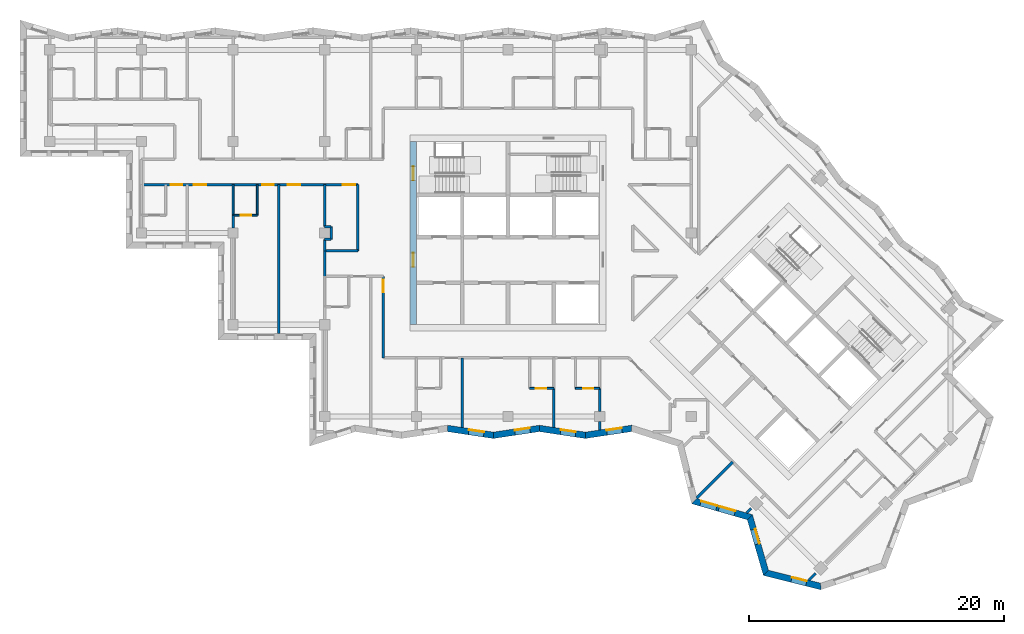
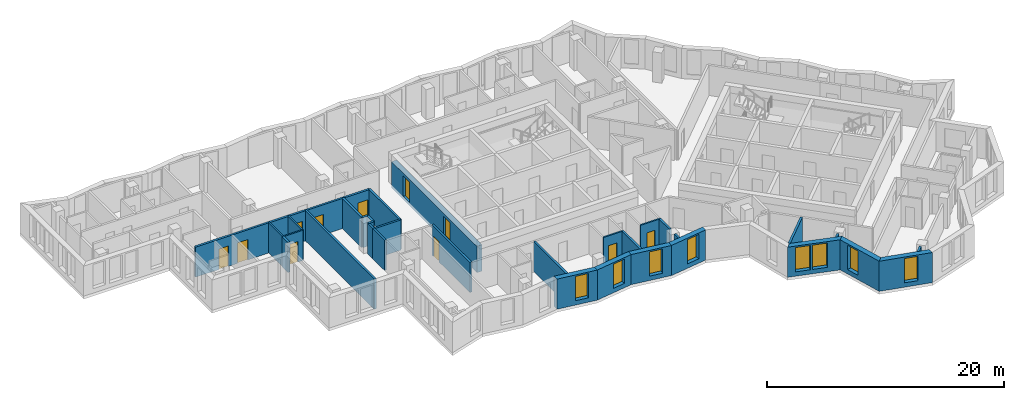
# One storey, part 3 of 13: 32 walls, 11 doors, 8 windows, 19 openings.
"""IFC4 building model written with IfcOpenShell, lengths in metres."""

from ifc_helpers import new_model, si_unit, direction, frame, frame_2d, origin, place, context, subcontext, project, spatial, polyline, rectangle, outline, extrude, material, layer, layer_set, type_object, element, fill, save


model = new_model("IFC4")

# Units and contexts
model_context = context("Model", 3, precision=1e-05, world=origin(), true_north=direction((0.0, 1.0)))
body_context = subcontext(model_context, "Body", "Model", "MODEL_VIEW")
ifc_project = project(units=[si_unit("LENGTHUNIT", "METRE"), si_unit("AREAUNIT", "SQUARE_METRE"), si_unit("VOLUMEUNIT", "CUBIC_METRE"), si_unit("PLANEANGLEUNIT", "RADIAN"), si_unit("MASSUNIT", "GRAM", prefix="KILO")], contexts=[model_context])

# Site, building, storey
site_placement = place(None, origin())
site = spatial("IfcSite", under=ifc_project, at=site_placement, CompositionType="ELEMENT")
building_placement = place(site_placement, origin())
building = spatial("IfcBuilding", under=site, at=building_placement, Name="Windrow Commons", CompositionType="ELEMENT")
storey_placement = place(building_placement, frame((0.0, 0.0, 216.8)))
storey = spatial("IfcBuildingStorey", under=building, at=storey_placement, Name="L59", CompositionType="ELEMENT", Elevation=216.8)

# Wall, opening, window
ifc_material_1 = material(Name="Brick masonry, red clay brick", Category="masonry")
ifc_layer_1 = layer(ifc_material_1, 0.5)
ifc_layer_set_1 = layer_set([ifc_layer_1], Name="Brick facade wall 500")
wall_type_1 = type_object("IfcWallType", Name="Brick facade wall 500", PredefinedType="SOLIDWALL", material=ifc_layer_set_1)
wall_1_placement = place(storey_placement, frame((60.0367, 42.2528, 0.0), z_axis=(0.0, 0.0, 1.0), x_axis=(0.9889295242, -0.1483859704, 0.0)))
wall_1 = element("IfcWall", 1, at=wall_1_placement, inside=storey, type_object=wall_type_1, Name="Brick facade wall L59 41", PredefinedType="SOLIDWALL", context=body_context, shape_type="SweptSolid", body=[
    extrude(outline(polyline([(0.0375, -0.25), (3.6902, -0.25), (3.6152, 0.25), (-0.0375, 0.25), (0.0375, -0.25)])), origin(), (0.0, 0.0, 1.0), 3.1),
])
opening_1_placement = place(wall_1_placement, frame((1.6957, 0.0, 0.45)))
opening_1 = element("IfcOpeningElement", 2, at=opening_1_placement, cuts=wall_1, Name="Opening W7E", PredefinedType="OPENING", context=body_context, shape_type="SweptSolid", body=[
    extrude(rectangle(XDim=1.2, YDim=2.5, at=frame_2d((0.6, 1.25))), frame((0.0, 0.26, 0.0), z_axis=(0.0, -1.0, 0.0), x_axis=(1.0, 0.0, 0.0)), (0.0, 0.0, 1.0), 0.52),
])
ifc_material_2 = material(Name="Clear float glass in anodised aluminium frame", Category="aluminium")
window_type_1 = type_object("IfcWindowType", Name="Window W7 notch 1200x2500", PartitioningType="SINGLE_PANEL", PredefinedType="WINDOW", material=ifc_material_2)
window_1_placement = place(opening_1_placement, origin())
window_1 = element("IfcWindow", 3, at=window_1_placement, inside=storey, type_object=window_type_1, Name="Window L59 41.1", OverallHeight=2.5, OverallWidth=1.2, PartitioningType="SINGLE_PANEL", PredefinedType="WINDOW", context=body_context, shape_type="SweptSolid", body=[
    extrude(rectangle(XDim=1.2, YDim=2.5, at=frame_2d((0.6, 1.25))), frame((0.0, 0.18, 0.0), z_axis=(0.0, -1.0, 0.0), x_axis=(1.0, 0.0, 0.0)), (0.0, 0.0, 1.0), 0.06),
])
fill(opening_1, window_1)

wall_2_placement = place(storey_placement, frame((63.6489, 41.7108, 0.0), z_axis=(0.0, 0.0, 1.0), x_axis=(0.988930127, 0.148381953, 0.0)))
wall_2 = element("IfcWall", 4, at=wall_2_placement, inside=storey, type_object=wall_type_1, Name="Brick facade wall L59 42", PredefinedType="SOLIDWALL", context=body_context, shape_type="SweptSolid", body=[
    extrude(outline(polyline([(-0.0375, -0.25), (3.6152, -0.25), (3.6902, 0.25), (0.0375, 0.25), (-0.0375, -0.25)])), origin(), (0.0, 0.0, 1.0), 3.1),
])
opening_2_placement = place(wall_2_placement, frame((1.7083, 0.0, 0.45)))
opening_2 = element("IfcOpeningElement", 5, at=opening_2_placement, cuts=wall_2, Name="Opening W7E", PredefinedType="OPENING", context=body_context, shape_type="SweptSolid", body=[
    extrude(rectangle(XDim=1.2, YDim=2.5, at=frame_2d((0.6, 1.25))), frame((0.0, 0.26, 0.0), z_axis=(0.0, -1.0, 0.0), x_axis=(1.0, 0.0, 0.0)), (0.0, 0.0, 1.0), 0.52),
])
window_2_placement = place(opening_2_placement, origin())
window_2 = element("IfcWindow", 6, at=window_2_placement, inside=storey, type_object=window_type_1, Name="Window L59 42.1", OverallHeight=2.5, OverallWidth=1.2, PartitioningType="SINGLE_PANEL", PredefinedType="WINDOW", context=body_context, shape_type="SweptSolid", body=[
    extrude(rectangle(XDim=1.2, YDim=2.5, at=frame_2d((0.6, 1.25))), frame((0.0, 0.18, 0.0), z_axis=(0.0, -1.0, 0.0), x_axis=(1.0, 0.0, 0.0)), (0.0, 0.0, 1.0), 0.06),
])
fill(opening_2, window_2)

wall_3_placement = place(storey_placement, frame((67.2612, 42.2528, 0.0), z_axis=(0.0, 0.0, 1.0), x_axis=(0.9889295242, -0.1483859704, 0.0)))
wall_3 = element("IfcWall", 7, at=wall_3_placement, inside=storey, type_object=wall_type_1, Name="Brick facade wall L59 43", PredefinedType="SOLIDWALL", context=body_context, shape_type="SweptSolid", body=[
    extrude(outline(polyline([(0.0375, -0.25), (3.6902, -0.25), (3.6152, 0.25), (-0.0375, 0.25), (0.0375, -0.25)])), origin(), (0.0, 0.0, 1.0), 3.1),
])
opening_3_placement = place(wall_3_placement, frame((1.6834, 0.0, 0.45)))
opening_3 = element("IfcOpeningElement", 8, at=opening_3_placement, cuts=wall_3, Name="Opening W7E", PredefinedType="OPENING", context=body_context, shape_type="SweptSolid", body=[
    extrude(rectangle(XDim=1.2, YDim=2.5, at=frame_2d((0.6, 1.25))), frame((0.0, 0.26, 0.0), z_axis=(0.0, -1.0, 0.0), x_axis=(1.0, 0.0, 0.0)), (0.0, 0.0, 1.0), 0.52),
])
window_3_placement = place(opening_3_placement, origin())
window_3 = element("IfcWindow", 9, at=window_3_placement, inside=storey, type_object=window_type_1, Name="Window L59 43.1", OverallHeight=2.5, OverallWidth=1.2, PartitioningType="SINGLE_PANEL", PredefinedType="WINDOW", context=body_context, shape_type="SweptSolid", body=[
    extrude(rectangle(XDim=1.2, YDim=2.5, at=frame_2d((0.6, 1.25))), frame((0.0, 0.18, 0.0), z_axis=(0.0, -1.0, 0.0), x_axis=(1.0, 0.0, 0.0)), (0.0, 0.0, 1.0), 0.06),
])
fill(opening_3, window_3)

wall_4_placement = place(storey_placement, frame((70.8734, 41.7108, 0.0), z_axis=(0.0, 0.0, 1.0), x_axis=(0.9889307607, 0.1483777295, 0.0)))
wall_4 = element("IfcWall", 10, at=wall_4_placement, inside=storey, type_object=wall_type_1, Name="Brick facade wall L59 44", PredefinedType="SOLIDWALL", context=body_context, shape_type="SweptSolid", body=[
    extrude(outline(polyline([(-0.0375, -0.25), (3.6152, -0.25), (3.731, 0.25), (0.0375, 0.25), (-0.0375, -0.25)])), origin(), (0.0, 0.0, 1.0), 3.1),
])
opening_4_placement = place(wall_4_placement, frame((1.7061, 0.0, 0.45)))
opening_4 = element("IfcOpeningElement", 11, at=opening_4_placement, cuts=wall_4, Name="Opening W7E", PredefinedType="OPENING", context=body_context, shape_type="SweptSolid", body=[
    extrude(rectangle(XDim=1.2, YDim=2.5, at=frame_2d((0.6, 1.25))), frame((0.0, 0.26, 0.0), z_axis=(0.0, -1.0, 0.0), x_axis=(1.0, 0.0, 0.0)), (0.0, 0.0, 1.0), 0.52),
])
window_4_placement = place(opening_4_placement, origin())
window_4 = element("IfcWindow", 12, at=window_4_placement, inside=storey, type_object=window_type_1, Name="Window L59 44.1", OverallHeight=2.5, OverallWidth=1.2, PartitioningType="SINGLE_PANEL", PredefinedType="WINDOW", context=body_context, shape_type="SweptSolid", body=[
    extrude(rectangle(XDim=1.2, YDim=2.5, at=frame_2d((0.6, 1.25))), frame((0.0, 0.18, 0.0), z_axis=(0.0, -1.0, 0.0), x_axis=(1.0, 0.0, 0.0)), (0.0, 0.0, 1.0), 0.06),
])
fill(opening_4, window_4)

# Wall, openings, windows
wall_5_placement = place(storey_placement, frame((79.4298, 36.54, 0.0), z_axis=(0.0, 0.0, 1.0), x_axis=(0.9606541241, -0.2777474642, 0.0)))
wall_5 = element("IfcWall", 13, at=wall_5_placement, inside=storey, type_object=wall_type_1, Name="Brick facade wall L59 47", PredefinedType="SOLIDWALL", context=body_context, shape_type="SweptSolid", body=[
    extrude(outline(polyline([(-0.1441, -0.25), (4.412, -0.25), (4.6877, 0.25), (0.1441, 0.25), (-0.1441, -0.25)])), origin(), (0.0, 0.0, 1.0), 3.1),
])
opening_5_placement = place(wall_5_placement, frame((0.5262, 0.0, 0.45)))
opening_5 = element("IfcOpeningElement", 14, at=opening_5_placement, cuts=wall_5, Name="Opening W1Q", PredefinedType="OPENING", context=body_context, shape_type="SweptSolid", body=[
    extrude(rectangle(XDim=1.3, YDim=2.5, at=frame_2d((0.65, 1.25))), frame((0.0, 0.26, 0.0), z_axis=(0.0, -1.0, 0.0), x_axis=(1.0, 0.0, 0.0)), (0.0, 0.0, 1.0), 0.52),
])
opening_6_placement = place(wall_5_placement, frame((2.0262, 0.0, 0.45)))
opening_6 = element("IfcOpeningElement", 15, at=opening_6_placement, cuts=wall_5, Name="Opening W1Q", PredefinedType="OPENING", context=body_context, shape_type="SweptSolid", body=[
    extrude(rectangle(XDim=1.3, YDim=2.5, at=frame_2d((0.65, 1.25))), frame((0.0, 0.26, 0.0), z_axis=(0.0, -1.0, 0.0), x_axis=(1.0, 0.0, 0.0)), (0.0, 0.0, 1.0), 0.52),
])
ifc_material_3 = material(Name="Clear float glass in anodised aluminium frame", Category="aluminium")
window_type_2 = type_object("IfcWindowType", Name="Window W1Q pair 1300x2500", PartitioningType="SINGLE_PANEL", PredefinedType="WINDOW", material=ifc_material_3)
window_5_placement = place(opening_5_placement, origin())
window_5 = element("IfcWindow", 16, at=window_5_placement, inside=storey, type_object=window_type_2, Name="Window L59 47.1A", OverallHeight=2.5, OverallWidth=1.3, PartitioningType="SINGLE_PANEL", PredefinedType="WINDOW", context=body_context, shape_type="SweptSolid", body=[
    extrude(rectangle(XDim=1.3, YDim=2.5, at=frame_2d((0.65, 1.25))), frame((0.0, 0.18, 0.0), z_axis=(0.0, -1.0, 0.0), x_axis=(1.0, 0.0, 0.0)), (0.0, 0.0, 1.0), 0.06),
])
fill(opening_5, window_5)
window_6_placement = place(opening_6_placement, origin())
window_6 = element("IfcWindow", 17, at=window_6_placement, inside=storey, type_object=window_type_2, Name="Window L59 47.1B", OverallHeight=2.5, OverallWidth=1.3, PartitioningType="SINGLE_PANEL", PredefinedType="WINDOW", context=body_context, shape_type="SweptSolid", body=[
    extrude(rectangle(XDim=1.3, YDim=2.5, at=frame_2d((0.65, 1.25))), frame((0.0, 0.18, 0.0), z_axis=(0.0, -1.0, 0.0), x_axis=(1.0, 0.0, 0.0)), (0.0, 0.0, 1.0), 0.06),
])
fill(opening_6, window_6)

# Wall, opening, window
wall_6_placement = place(storey_placement, frame((83.8006, 35.2763, 0.0), z_axis=(0.0, 0.0, 1.0), x_axis=(0.2777474642, -0.9606541241, 0.0)))
wall_6 = element("IfcWall", 18, at=wall_6_placement, inside=storey, type_object=wall_type_1, Name="Brick facade wall L59 48", PredefinedType="SOLIDWALL", context=body_context, shape_type="SweptSolid", body=[
    extrude(outline(polyline([(0.1379, -0.25), (4.6939, -0.25), (4.4058, 0.25), (-0.1379, 0.25), (0.1379, -0.25)])), origin(), (0.0, 0.0, 1.0), 3.1),
])
opening_7_placement = place(wall_6_placement, frame((0.997, 0.0, 0.45)))
opening_7 = element("IfcOpeningElement", 19, at=opening_7_placement, cuts=wall_6, Name="Opening W7E", PredefinedType="OPENING", context=body_context, shape_type="SweptSolid", body=[
    extrude(rectangle(XDim=1.2, YDim=2.5, at=frame_2d((0.6, 1.25))), frame((0.0, 0.26, 0.0), z_axis=(0.0, -1.0, 0.0), x_axis=(1.0, 0.0, 0.0)), (0.0, 0.0, 1.0), 0.52),
])
window_7_placement = place(opening_7_placement, origin())
window_7 = element("IfcWindow", 20, at=window_7_placement, inside=storey, type_object=window_type_1, Name="Window L59 48.1", OverallHeight=2.5, OverallWidth=1.2, PartitioningType="SINGLE_PANEL", PredefinedType="WINDOW", context=body_context, shape_type="SweptSolid", body=[
    extrude(rectangle(XDim=1.2, YDim=2.5, at=frame_2d((0.6, 1.25))), frame((0.0, 0.18, 0.0), z_axis=(0.0, -1.0, 0.0), x_axis=(1.0, 0.0, 0.0)), (0.0, 0.0, 1.0), 0.06),
])
fill(opening_7, window_7)

wall_7_placement = place(storey_placement, frame((85.0643, 30.9055, 0.0), z_axis=(0.0, 0.0, 1.0), x_axis=(0.9704161722, -0.2414383002, 0.0)))
wall_7 = element("IfcWall", 21, at=wall_7_placement, inside=storey, type_object=wall_type_1, Name="Brick facade wall L59 49", PredefinedType="SOLIDWALL", context=body_context, shape_type="SweptSolid", body=[
    extrude(outline(polyline([(-0.1441, -0.25), (4.5118, -0.25), (4.3665, 0.25), (0.1441, 0.25), (-0.1441, -0.25)])), origin(), (0.0, 0.0, 1.0), 3.1),
])
opening_8_placement = place(wall_7_placement, frame((2.0715, 0.0, 0.45)))
opening_8 = element("IfcOpeningElement", 22, at=opening_8_placement, cuts=wall_7, Name="Opening W7E", PredefinedType="OPENING", context=body_context, shape_type="SweptSolid", body=[
    extrude(rectangle(XDim=1.2, YDim=2.5, at=frame_2d((0.6, 1.25))), frame((0.0, 0.26, 0.0), z_axis=(0.0, -1.0, 0.0), x_axis=(1.0, 0.0, 0.0)), (0.0, 0.0, 1.0), 0.52),
])
window_8_placement = place(opening_8_placement, origin())
window_8 = element("IfcWindow", 23, at=window_8_placement, inside=storey, type_object=window_type_1, Name="Window L59 49.1", OverallHeight=2.5, OverallWidth=1.2, PartitioningType="SINGLE_PANEL", PredefinedType="WINDOW", context=body_context, shape_type="SweptSolid", body=[
    extrude(rectangle(XDim=1.2, YDim=2.5, at=frame_2d((0.6, 1.25))), frame((0.0, 0.18, 0.0), z_axis=(0.0, -1.0, 0.0), x_axis=(1.0, 0.0, 0.0)), (0.0, 0.0, 1.0), 0.06),
])
fill(opening_8, window_8)

# Wall, openings, doors
ifc_material_4 = material(Name="Blockwork partition", Category="masonry")
ifc_layer_2 = layer(ifc_material_4, 0.2)
ifc_layer_set_2 = layer_set([ifc_layer_2], Name="IW-CORRIDOR-200")
wall_type_2 = type_object("IfcWallType", Name="IW-CORRIDOR-200", PredefinedType="PARTITIONING", material=ifc_layer_set_2)
wall_8_placement = place(storey_placement, frame((36.0, 61.4, 0.0), z_axis=(0.0, 0.0, 1.0), x_axis=(1.0, 0.0, 0.0)))
wall_8 = element("IfcWall", 24, at=wall_8_placement, inside=storey, type_object=wall_type_2, Name="W-L59-W002", PredefinedType="PARTITIONING", context=body_context, shape_type="SweptSolid", body=[
    extrude(rectangle(XDim=17.0, YDim=0.2, at=frame_2d((8.5, 0.0))), origin(), (0.0, 0.0, 1.0), 3.1),
])
opening_9_placement = place(wall_8_placement, frame((2.3, 0.0, 0.0)))
opening_9 = element("IfcOpeningElement", 25, at=opening_9_placement, cuts=wall_8, Name="Opening D109S", PredefinedType="OPENING", context=body_context, shape_type="SweptSolid", body=[
    extrude(rectangle(XDim=0.9, YDim=2.1, at=frame_2d((0.45, 1.05))), frame((0.0, 0.11, 0.0), z_axis=(0.0, -1.0, 0.0), x_axis=(1.0, 0.0, 0.0)), (0.0, 0.0, 1.0), 0.22),
])
opening_10_placement = place(wall_8_placement, frame((4.1075, 0.0, 0.0)))
opening_10 = element("IfcOpeningElement", 26, at=opening_10_placement, cuts=wall_8, Name="Opening D310F", PredefinedType="OPENING", context=body_context, shape_type="SweptSolid", body=[
    extrude(rectangle(XDim=1.0, YDim=2.1, at=frame_2d((0.5, 1.05))), frame((0.0, 0.11, 0.0), z_axis=(0.0, -1.0, 0.0), x_axis=(1.0, 0.0, 0.0)), (0.0, 0.0, 1.0), 0.22),
])
opening_11_placement = place(wall_8_placement, frame((9.5, 0.0, 0.0)))
opening_11 = element("IfcOpeningElement", 27, at=opening_11_placement, cuts=wall_8, Name="Opening D109S", PredefinedType="OPENING", context=body_context, shape_type="SweptSolid", body=[
    extrude(rectangle(XDim=0.9, YDim=2.1, at=frame_2d((0.45, 1.05))), frame((0.0, 0.11, 0.0), z_axis=(0.0, -1.0, 0.0), x_axis=(1.0, 0.0, 0.0)), (0.0, 0.0, 1.0), 0.22),
])
opening_12_placement = place(wall_8_placement, frame((11.48, 0.0, 0.0)))
opening_12 = element("IfcOpeningElement", 28, at=opening_12_placement, cuts=wall_8, Name="Opening D310F", PredefinedType="OPENING", context=body_context, shape_type="SweptSolid", body=[
    extrude(rectangle(XDim=1.0, YDim=2.1, at=frame_2d((0.5, 1.05))), frame((0.0, 0.11, 0.0), z_axis=(0.0, -1.0, 0.0), x_axis=(1.0, 0.0, 0.0)), (0.0, 0.0, 1.0), 0.22),
])
opening_13_placement = place(wall_8_placement, frame((15.805, 0.0, 0.0)))
opening_13 = element("IfcOpeningElement", 29, at=opening_13_placement, cuts=wall_8, Name="Opening D410F", PredefinedType="OPENING", context=body_context, shape_type="SweptSolid", body=[
    extrude(rectangle(XDim=1.0, YDim=2.1, at=frame_2d((0.5, 1.05))), frame((0.0, 0.11, 0.0), z_axis=(0.0, -1.0, 0.0), x_axis=(1.0, 0.0, 0.0)), (0.0, 0.0, 1.0), 0.22),
])
ifc_material_5 = material(Name="Timber door leaf", Category="wood")
door_type_1 = type_object("IfcDoorType", Name="DT-AMENITY-1000", OperationType="SINGLE_SWING_LEFT", PredefinedType="DOOR", material=ifc_material_5)
door_1_placement = place(opening_10_placement, origin())
door_1 = element("IfcDoor", 30, at=door_1_placement, inside=storey, type_object=door_type_1, Name="D-L59-D019", OperationType="SINGLE_SWING_RIGHT", OverallHeight=2.1, OverallWidth=1.0, PredefinedType="DOOR", context=body_context, shape_type="SweptSolid", body=[
    extrude(rectangle(XDim=1.0, YDim=2.1, at=frame_2d((0.5, 1.05))), frame((0.0, 0.025, 0.0), z_axis=(0.0, -1.0, 0.0), x_axis=(1.0, 0.0, 0.0)), (0.0, 0.0, 1.0), 0.05),
])
fill(opening_10, door_1)
door_2_placement = place(opening_12_placement, origin())
door_2 = element("IfcDoor", 31, at=door_2_placement, inside=storey, type_object=door_type_1, Name="D-L59-D022", OperationType="SINGLE_SWING_RIGHT", OverallHeight=2.1, OverallWidth=1.0, PredefinedType="DOOR", context=body_context, shape_type="SweptSolid", body=[
    extrude(rectangle(XDim=1.0, YDim=2.1, at=frame_2d((0.5, 1.05))), frame((0.0, 0.025, 0.0), z_axis=(0.0, -1.0, 0.0), x_axis=(1.0, 0.0, 0.0)), (0.0, 0.0, 1.0), 0.05),
])
fill(opening_12, door_2)
ifc_material_6 = material(Name="Timber door leaf", Category="wood")
door_type_2 = type_object("IfcDoorType", Name="DT-BEDROOM-900", OperationType="SINGLE_SWING_LEFT", PredefinedType="DOOR", material=ifc_material_6)
door_3_placement = place(opening_9_placement, origin())
door_3 = element("IfcDoor", 32, at=door_3_placement, inside=storey, type_object=door_type_2, Name="D-L59-D009", OperationType="SINGLE_SWING_LEFT", OverallHeight=2.1, OverallWidth=0.9, PredefinedType="DOOR", context=body_context, shape_type="SweptSolid", body=[
    extrude(rectangle(XDim=0.9, YDim=2.1, at=frame_2d((0.45, 1.05))), frame((0.0, 0.025, 0.0), z_axis=(0.0, -1.0, 0.0), x_axis=(1.0, 0.0, 0.0)), (0.0, 0.0, 1.0), 0.05),
])
fill(opening_9, door_3)
door_4_placement = place(opening_11_placement, origin())
door_4 = element("IfcDoor", 33, at=door_4_placement, inside=storey, type_object=door_type_2, Name="D-L59-D020", OperationType="SINGLE_SWING_LEFT", OverallHeight=2.1, OverallWidth=0.9, PredefinedType="DOOR", context=body_context, shape_type="SweptSolid", body=[
    extrude(rectangle(XDim=0.9, YDim=2.1, at=frame_2d((0.45, 1.05))), frame((0.0, 0.025, 0.0), z_axis=(0.0, -1.0, 0.0), x_axis=(1.0, 0.0, 0.0)), (0.0, 0.0, 1.0), 0.05),
])
fill(opening_11, door_4)
ifc_material_7 = material(Name="Timber door leaf", Category="wood")
door_type_3 = type_object("IfcDoorType", Name="DT-SERVICE-1000", OperationType="SINGLE_SWING_LEFT", PredefinedType="DOOR", material=ifc_material_7)
door_5_placement = place(opening_13_placement, origin())
door_5 = element("IfcDoor", 34, at=door_5_placement, inside=storey, type_object=door_type_3, Name="D-L59-D023", OperationType="SINGLE_SWING_LEFT", OverallHeight=2.1, OverallWidth=1.0, PredefinedType="DOOR", context=body_context, shape_type="SweptSolid", body=[
    extrude(rectangle(XDim=1.0, YDim=2.1, at=frame_2d((0.5, 1.05))), frame((0.0, 0.025, 0.0), z_axis=(0.0, -1.0, 0.0), x_axis=(1.0, 0.0, 0.0)), (0.0, 0.0, 1.0), 0.05),
])
fill(opening_13, door_5)

# Wall, opening, door
wall_9_placement = place(storey_placement, frame((55.0, 47.8, 0.0), z_axis=(0.0, 0.0, 1.0), x_axis=(0.0, 1.0, 0.0)))
wall_9 = element("IfcWall", 35, at=wall_9_placement, inside=storey, type_object=wall_type_2, Name="W-L59-W019", PredefinedType="PARTITIONING", context=body_context, shape_type="SweptSolid", body=[
    extrude(rectangle(XDim=6.4, YDim=0.2, at=frame_2d((3.2, 0.0))), origin(), (0.0, 0.0, 1.0), 3.1),
])
opening_14_placement = place(wall_9_placement, frame((5.145, 0.0, 0.0)))
opening_14 = element("IfcOpeningElement", 36, at=opening_14_placement, cuts=wall_9, Name="Opening D310F", PredefinedType="OPENING", context=body_context, shape_type="SweptSolid", body=[
    extrude(rectangle(XDim=1.0, YDim=2.1, at=frame_2d((0.5, 1.05))), frame((0.0, 0.11, 0.0), z_axis=(0.0, -1.0, 0.0), x_axis=(1.0, 0.0, 0.0)), (0.0, 0.0, 1.0), 0.22),
])
door_6_placement = place(opening_14_placement, origin())
door_6 = element("IfcDoor", 37, at=door_6_placement, inside=storey, type_object=door_type_1, Name="D-L59-D026", OperationType="SINGLE_SWING_RIGHT", OverallHeight=2.1, OverallWidth=1.0, PredefinedType="DOOR", context=body_context, shape_type="SweptSolid", body=[
    extrude(rectangle(XDim=1.0, YDim=2.1, at=frame_2d((0.5, 1.05))), frame((0.0, 0.025, 0.0), z_axis=(0.0, -1.0, 0.0), x_axis=(1.0, 0.0, 0.0)), (0.0, 0.0, 1.0), 0.05),
])
fill(opening_14, door_6)

# Walls
wall_10_placement = place(storey_placement, frame((53.0, 56.202, 0.0), z_axis=(0.0, 0.0, 1.0), x_axis=(0.0, 1.0, 0.0)))
element("IfcWall", 38, at=wall_10_placement, inside=storey, type_object=wall_type_2, Name="W-L59-W028", PredefinedType="PARTITIONING", context=body_context, shape_type="SweptSolid", body=[
    extrude(rectangle(XDim=5.198, YDim=0.2, at=frame_2d((2.599, 0.0))), origin(), (0.0, 0.0, 1.0), 3.1),
])
wall_11_placement = place(storey_placement, frame((50.4, 56.2, 0.0), z_axis=(0.0, 0.0, 1.0), x_axis=(1.0, 0.0, 0.0)))
element("IfcWall", 39, at=wall_11_placement, inside=storey, type_object=wall_type_2, Name="W-L59-W061", PredefinedType="PARTITIONING", context=body_context, shape_type="SweptSolid", body=[
    extrude(rectangle(XDim=2.6, YDim=0.2, at=frame_2d((1.3, 0.0))), origin(), (0.0, 0.0, 1.0), 3.1),
])
wall_12_placement = place(storey_placement, frame((50.4, 54.2, 0.0), z_axis=(0.0, 0.0, 1.0), x_axis=(0.0, 1.0, 0.0)))
element("IfcWall", 40, at=wall_12_placement, inside=storey, type_object=wall_type_2, Name="W-L59-W103", PredefinedType="PARTITIONING", context=body_context, shape_type="SweptSolid", body=[
    extrude(rectangle(XDim=2.0, YDim=0.2, at=frame_2d((1.0, 0.0))), origin(), (0.0, 0.0, 1.0), 3.1),
])
ifc_material_8 = material(Name="Blockwork partition", Category="masonry")
ifc_layer_3 = layer(ifc_material_8, 0.15)
ifc_layer_set_3 = layer_set([ifc_layer_3], Name="IW-ENSUITE-150")
wall_type_3 = type_object("IfcWallType", Name="IW-ENSUITE-150", PredefinedType="PARTITIONING", material=ifc_layer_set_3)
for number, where, z_axis, x_axis, name in (
    (41, (45.1, 59.0, 0.0), (0.0, 0.0, 1.0), (0.0, 1.0, 0.0), "W-L59-W077"),
    (42, (43.2, 59.0, 0.0), (0.0, 0.0, 1.0), (0.0, 1.0, 0.0), "W-L59-W078"),
):
    element("IfcWall", number, at=place(storey_placement, frame(where, z_axis=z_axis, x_axis=x_axis)), inside=storey, type_object=wall_type_3, Name=name, PredefinedType="PARTITIONING", context=body_context, shape_type="SweptSolid", body=[
        extrude(rectangle(XDim=2.4, YDim=0.15, at=frame_2d((1.2, 0.0))), origin(), (0.0, 0.0, 1.0), 3.1),
    ])

# Wall, opening, door
wall_13_placement = place(storey_placement, frame((66.5, 45.4, 0.0), z_axis=(0.0, 0.0, 1.0), x_axis=(1.0, 0.0, 0.0)))
wall_13 = element("IfcWall", 43, at=wall_13_placement, inside=storey, type_object=wall_type_3, Name="W-L59-W111", PredefinedType="PARTITIONING", context=body_context, shape_type="SweptSolid", body=[
    extrude(rectangle(XDim=1.9, YDim=0.15, at=frame_2d((0.95, 0.0))), origin(), (0.0, 0.0, 1.0), 3.1),
])
opening_15_placement = place(wall_13_placement, frame((0.4931, 0.0, 0.0)))
opening_15 = element("IfcOpeningElement", 44, at=opening_15_placement, cuts=wall_13, Name="Opening D208N", PredefinedType="OPENING", context=body_context, shape_type="SweptSolid", body=[
    extrude(rectangle(XDim=0.8, YDim=2.1, at=frame_2d((0.4, 1.05))), frame((0.0, 0.085, 0.0), z_axis=(0.0, -1.0, 0.0), x_axis=(1.0, 0.0, 0.0)), (0.0, 0.0, 1.0), 0.17),
])
ifc_material_9 = material(Name="Timber door leaf", Category="wood")
door_type_4 = type_object("IfcDoorType", Name="DT-ENSUITE-800", OperationType="SINGLE_SWING_LEFT", PredefinedType="DOOR", material=ifc_material_9)
door_7_placement = place(opening_15_placement, origin())
door_7 = element("IfcDoor", 45, at=door_7_placement, inside=storey, type_object=door_type_4, Name="D-L59-D036", OperationType="SINGLE_SWING_RIGHT", OverallHeight=2.1, OverallWidth=0.8, PredefinedType="DOOR", context=body_context, shape_type="SweptSolid", body=[
    extrude(rectangle(XDim=0.8, YDim=2.1, at=frame_2d((0.4, 1.05))), frame((0.0, 0.025, 0.0), z_axis=(0.0, -1.0, 0.0), x_axis=(1.0, 0.0, 0.0)), (0.0, 0.0, 1.0), 0.05),
])
fill(opening_15, door_7)

wall_14_placement = place(storey_placement, frame((70.1, 45.4, 0.0), z_axis=(0.0, 0.0, 1.0), x_axis=(1.0, 0.0, 0.0)))
wall_14 = element("IfcWall", 46, at=wall_14_placement, inside=storey, type_object=wall_type_3, Name="W-L59-W112", PredefinedType="PARTITIONING", context=body_context, shape_type="SweptSolid", body=[
    extrude(rectangle(XDim=1.9, YDim=0.15, at=frame_2d((0.95, 0.0))), origin(), (0.0, 0.0, 1.0), 3.1),
])
opening_16_placement = place(wall_14_placement, frame((0.5979, 0.0, 0.0)))
opening_16 = element("IfcOpeningElement", 47, at=opening_16_placement, cuts=wall_14, Name="Opening D208N", PredefinedType="OPENING", context=body_context, shape_type="SweptSolid", body=[
    extrude(rectangle(XDim=0.8, YDim=2.1, at=frame_2d((0.4, 1.05))), frame((0.0, 0.085, 0.0), z_axis=(0.0, -1.0, 0.0), x_axis=(1.0, 0.0, 0.0)), (0.0, 0.0, 1.0), 0.17),
])
door_8_placement = place(opening_16_placement, origin())
door_8 = element("IfcDoor", 48, at=door_8_placement, inside=storey, type_object=door_type_4, Name="D-L59-D038", OperationType="SINGLE_SWING_RIGHT", OverallHeight=2.1, OverallWidth=0.8, PredefinedType="DOOR", context=body_context, shape_type="SweptSolid", body=[
    extrude(rectangle(XDim=0.8, YDim=2.1, at=frame_2d((0.4, 1.05))), frame((0.0, 0.025, 0.0), z_axis=(0.0, -1.0, 0.0), x_axis=(1.0, 0.0, 0.0)), (0.0, 0.0, 1.0), 0.05),
])
fill(opening_16, door_8)

wall_15_placement = place(storey_placement, frame((43.2, 59.0, 0.0), z_axis=(0.0, 0.0, 1.0), x_axis=(1.0, 0.0, 0.0)))
wall_15 = element("IfcWall", 49, at=wall_15_placement, inside=storey, type_object=wall_type_3, Name="W-L59-W116", PredefinedType="PARTITIONING", context=body_context, shape_type="SweptSolid", body=[
    extrude(rectangle(XDim=1.9, YDim=0.15, at=frame_2d((0.95, 0.0))), origin(), (0.0, 0.0, 1.0), 3.1),
])
opening_17_placement = place(wall_15_placement, frame((0.6069, 0.0, 0.0)))
opening_17 = element("IfcOpeningElement", 50, at=opening_17_placement, cuts=wall_15, Name="Opening D208N", PredefinedType="OPENING", context=body_context, shape_type="SweptSolid", body=[
    extrude(rectangle(XDim=0.8, YDim=2.1, at=frame_2d((0.4, 1.05))), frame((0.0, 0.085, 0.0), z_axis=(0.0, -1.0, 0.0), x_axis=(1.0, 0.0, 0.0)), (0.0, 0.0, 1.0), 0.17),
])
door_9_placement = place(opening_17_placement, origin())
door_9 = element("IfcDoor", 51, at=door_9_placement, inside=storey, type_object=door_type_4, Name="D-L59-D021", OperationType="SINGLE_SWING_RIGHT", OverallHeight=2.1, OverallWidth=0.8, PredefinedType="DOOR", context=body_context, shape_type="SweptSolid", body=[
    extrude(rectangle(XDim=0.8, YDim=2.1, at=frame_2d((0.4, 1.05))), frame((0.0, 0.025, 0.0), z_axis=(0.0, -1.0, 0.0), x_axis=(1.0, 0.0, 0.0)), (0.0, 0.0, 1.0), 0.05),
])
fill(opening_17, door_9)

# Walls
ifc_material_10 = material(Name="Blockwork partition", Category="masonry")
ifc_layer_4 = layer(ifc_material_10, 0.2)
ifc_layer_set_4 = layer_set([ifc_layer_4], Name="IW-PARTY-200")
wall_type_4 = type_object("IfcWallType", Name="IW-PARTY-200", PredefinedType="PARTITIONING", material=ifc_layer_set_4)
wall_16_placement = place(storey_placement, frame((46.8, 49.7, 0.0), z_axis=(0.0, 0.0, 1.0), x_axis=(0.0, 1.0, 0.0)))
element("IfcWall", 52, at=wall_16_placement, inside=storey, type_object=wall_type_4, Name="W-L59-W006", PredefinedType="PARTITIONING", context=body_context, shape_type="SweptSolid", body=[
    extrude(rectangle(XDim=11.7, YDim=0.2, at=frame_2d((5.85, 0.0))), origin(), (0.0, 0.0, 1.0), 3.1),
])
wall_17_placement = place(storey_placement, frame((61.2, 42.3311, 0.0), z_axis=(0.0, 0.0, 1.0), x_axis=(0.0, 1.0, 0.0)))
element("IfcWall", 53, at=wall_17_placement, inside=storey, type_object=wall_type_4, Name="W-L59-W026", PredefinedType="PARTITIONING", context=body_context, shape_type="SweptSolid", body=[
    extrude(rectangle(XDim=5.4689, YDim=0.2, at=frame_2d((2.7344, 0.0))), origin(), (0.0, 0.0, 1.0), 3.1),
])
wall_18_placement = place(storey_placement, frame((79.6255, 36.7889, 0.0), z_axis=(0.0, 0.0, 1.0), x_axis=(0.7071067812, 0.7071067812, 0.0)))
element("IfcWall", 54, at=wall_18_placement, inside=storey, type_object=wall_type_4, Name="W-L59-W043", PredefinedType="PARTITIONING", context=body_context, shape_type="SweptSolid", body=[
    extrude(rectangle(XDim=3.9963, YDim=0.2, at=frame_2d((1.9982, 0.0))), origin(), (0.0, 0.0, 1.0), 3.1),
])
wall_19_placement = place(storey_placement, frame((50.4, 58.106, 0.0), z_axis=(0.0, 0.0, 1.0), x_axis=(0.0, 1.0, 0.0)))
element("IfcWall", 55, at=wall_19_placement, inside=storey, type_object=wall_type_4, Name="W-L59-W049", PredefinedType="PARTITIONING", context=body_context, shape_type="SweptSolid", body=[
    extrude(rectangle(XDim=3.294, YDim=0.2, at=frame_2d((1.647, 0.0))), origin(), (0.0, 0.0, 1.0), 3.1),
])
wall_20_placement = place(storey_placement, frame((68.4, 42.3347, 0.0), z_axis=(0.0, 0.0, 1.0), x_axis=(0.0, 1.0, 0.0)))
element("IfcWall", 56, at=wall_20_placement, inside=storey, type_object=wall_type_4, Name="W-L59-W057", PredefinedType="PARTITIONING", context=body_context, shape_type="SweptSolid", body=[
    extrude(rectangle(XDim=3.0653, YDim=0.2, at=frame_2d((1.5327, 0.0))), origin(), (0.0, 0.0, 1.0), 3.1),
])
wall_21_placement = place(storey_placement, frame((72.0, 43.6, 0.0), z_axis=(0.0, 0.0, 1.0), x_axis=(0.0, 1.0, 0.0)))
element("IfcWall", 57, at=wall_21_placement, inside=storey, type_object=wall_type_4, Name="W-L59-W126", PredefinedType="PARTITIONING", context=body_context, shape_type="SweptSolid", body=[
    extrude(rectangle(XDim=1.8, YDim=0.2, at=frame_2d((0.9, 0.0))), origin(), (0.0, 0.0, 1.0), 3.1),
])
wall_22_placement = place(storey_placement, frame((50.9, 57.096, 0.0), z_axis=(0.0, 0.0, 1.0), x_axis=(0.0, 1.0, 0.0)))
element("IfcWall", 58, at=wall_22_placement, inside=storey, type_object=wall_type_4, Name="W-L59-W134", PredefinedType="PARTITIONING", context=body_context, shape_type="SweptSolid", body=[
    extrude(rectangle(XDim=1.01, YDim=0.2, at=frame_2d((0.505, 0.0))), origin(), (0.0, 0.0, 1.0), 3.1),
])
wall_23_placement = place(storey_placement, frame((43.2, 58.0, 0.0), z_axis=(0.0, 0.0, 1.0), x_axis=(0.0, 1.0, 0.0)))
element("IfcWall", 59, at=wall_23_placement, inside=storey, type_object=wall_type_4, Name="W-L59-W140", PredefinedType="PARTITIONING", context=body_context, shape_type="SweptSolid", body=[
    extrude(rectangle(XDim=1.0, YDim=0.2, at=frame_2d((0.5, 0.0))), origin(), (0.0, 0.0, 1.0), 3.1),
])
wall_24_placement = place(storey_placement, frame((50.4, 56.2, 0.0), z_axis=(0.0, 0.0, 1.0), x_axis=(0.0, 1.0, 0.0)))
element("IfcWall", 60, at=wall_24_placement, inside=storey, type_object=wall_type_4, Name="W-L59-W144", PredefinedType="PARTITIONING", context=body_context, shape_type="SweptSolid", body=[
    extrude(rectangle(XDim=0.896, YDim=0.2, at=frame_2d((0.448, 0.0))), origin(), (0.0, 0.0, 1.0), 3.1),
])
wall_25_placement = place(storey_placement, frame((88.4346, 30.3246, 0.0), z_axis=(0.0, 0.0, 1.0), x_axis=(0.7071067812, 0.7071067812, 0.0)))
element("IfcWall", 61, at=wall_25_placement, inside=storey, type_object=wall_type_4, Name="W-L59-W149", PredefinedType="PARTITIONING", context=body_context, shape_type="SweptSolid", body=[
    extrude(rectangle(XDim=0.7727, YDim=0.2, at=frame_2d((0.3864, 0.0))), origin(), (0.0, 0.0, 1.0), 3.1),
])
wall_26_placement = place(storey_placement, frame((72.0, 42.1326, 0.0), z_axis=(0.0, 0.0, 1.0), x_axis=(0.0, 1.0, 0.0)))
element("IfcWall", 62, at=wall_26_placement, inside=storey, type_object=wall_type_4, Name="W-L59-W152", PredefinedType="PARTITIONING", context=body_context, shape_type="SweptSolid", body=[
    extrude(rectangle(XDim=0.6674, YDim=0.2, at=frame_2d((0.3337, 0.0))), origin(), (0.0, 0.0, 1.0), 3.1),
])
for number, where, z_axis, x_axis, name in (
    (63, (50.4, 58.11, 0.0), (0.0, 0.0, 1.0), (1.0, 0.0, 0.0), "W-L59-W160"),
    (64, (50.4, 57.1, 0.0), (0.0, 0.0, 1.0), (1.0, 0.0, 0.0), "W-L59-W161"),
):
    element("IfcWall", number, at=place(storey_placement, frame(where, z_axis=z_axis, x_axis=x_axis)), inside=storey, type_object=wall_type_4, Name=name, PredefinedType="PARTITIONING", context=body_context, shape_type="SweptSolid", body=[
        extrude(rectangle(XDim=0.5, YDim=0.2, at=frame_2d((0.25, 0.0))), origin(), (0.0, 0.0, 1.0), 3.1),
    ])
wall_27_placement = place(storey_placement, frame((83.5438, 35.6107, 0.0), z_axis=(0.0, 0.0, 1.0), x_axis=(0.7094279578, 0.7047779598, 0.0)))
element("IfcWall", 65, at=wall_27_placement, inside=storey, type_object=wall_type_4, Name="W-L59-W167", PredefinedType="PARTITIONING", context=body_context, shape_type="SweptSolid", body=[
    extrude(rectangle(XDim=0.4946, YDim=0.2, at=frame_2d((0.2473, 0.0))), origin(), (0.0, 0.0, 1.0), 3.1),
])

# Wall, openings, doors
ifc_material_11 = material(Name="Concrete C40/50", Category="concrete")
ifc_layer_5 = layer(ifc_material_11, 0.5)
ifc_layer_set_5 = layer_set([ifc_layer_5], Name="RC CORE WALL 500 C40/50")
wall_type_5 = type_object("IfcWallType", Name="RC CORE WALL 500 C40/50", PredefinedType="SHEAR", material=ifc_layer_set_5)
wall_28_placement = place(storey_placement, frame((57.35, 50.4, -0.3), z_axis=(0.0, 0.0, 1.0), x_axis=(0.0, 1.0, 0.0)))
wall_28 = element("IfcWall", 66, at=wall_28_placement, inside=storey, type_object=wall_type_5, Name="Core A wall outer-W", PredefinedType="SHEAR", context=body_context, shape_type="SweptSolid", body=[
    extrude(rectangle(XDim=14.4, YDim=0.5, at=frame_2d((7.2, 0.0))), origin(), (0.0, 0.0, 1.0), 2.7),
])
opening_18_placement = place(wall_28_placement, frame((4.55, 0.0, 0.3)))
opening_18 = element("IfcOpeningElement", 67, at=opening_18_placement, cuts=wall_28, Name="Opening D6", PredefinedType="OPENING", context=body_context, shape_type="SweptSolid", body=[
    extrude(rectangle(XDim=1.1, YDim=2.1, at=frame_2d((0.55, 1.05))), frame((0.0, 0.26, 0.0), z_axis=(0.0, -1.0, 0.0), x_axis=(1.0, 0.0, 0.0)), (0.0, 0.0, 1.0), 0.52),
])
opening_19_placement = place(wall_28_placement, frame((11.35, 0.0, 0.3)))
opening_19 = element("IfcOpeningElement", 68, at=opening_19_placement, cuts=wall_28, Name="Opening D7", PredefinedType="OPENING", context=body_context, shape_type="SweptSolid", body=[
    extrude(rectangle(XDim=1.1, YDim=2.1, at=frame_2d((0.55, 1.05))), frame((0.0, 0.26, 0.0), z_axis=(0.0, -1.0, 0.0), x_axis=(1.0, 0.0, 0.0)), (0.0, 0.0, 1.0), 0.52),
])
ifc_material_12 = material(Name="Steel fire door leaf", Category="steel")
door_type_5 = type_object("IfcDoorType", Name="Core lobby door 1100", OperationType="SINGLE_SWING_LEFT", PredefinedType="DOOR", material=ifc_material_12)
door_10_placement = place(opening_18_placement, origin())
door_10 = element("IfcDoor", 69, at=door_10_placement, inside=storey, type_object=door_type_5, Name="Lift lobby door", OperationType="DOUBLE_DOOR_SINGLE_SWING", OverallHeight=2.1, OverallWidth=1.1, PredefinedType="DOOR", context=body_context, shape_type="SweptSolid", body=[
    extrude(rectangle(XDim=1.1, YDim=2.1, at=frame_2d((0.55, 1.05))), frame((0.0, 0.025, 0.0), z_axis=(0.0, -1.0, 0.0), x_axis=(1.0, 0.0, 0.0)), (0.0, 0.0, 1.0), 0.05),
])
fill(opening_18, door_10)
ifc_material_13 = material(Name="Steel fire door leaf", Category="steel")
door_type_6 = type_object("IfcDoorType", Name="Stair door 1100", OperationType="SINGLE_SWING_LEFT", PredefinedType="DOOR", material=ifc_material_13)
door_11_placement = place(opening_19_placement, origin())
door_11 = element("IfcDoor", 70, at=door_11_placement, inside=storey, type_object=door_type_6, Name="Stair door", OperationType="SINGLE_SWING_LEFT", OverallHeight=2.1, OverallWidth=1.1, PredefinedType="DOOR", context=body_context, shape_type="SweptSolid", body=[
    extrude(rectangle(XDim=1.1, YDim=2.1, at=frame_2d((0.55, 1.05))), frame((0.0, 0.025, 0.0), z_axis=(0.0, -1.0, 0.0), x_axis=(1.0, 0.0, 0.0)), (0.0, 0.0, 1.0), 0.05),
])
fill(opening_19, door_11)

save(model, "model.ifc")
